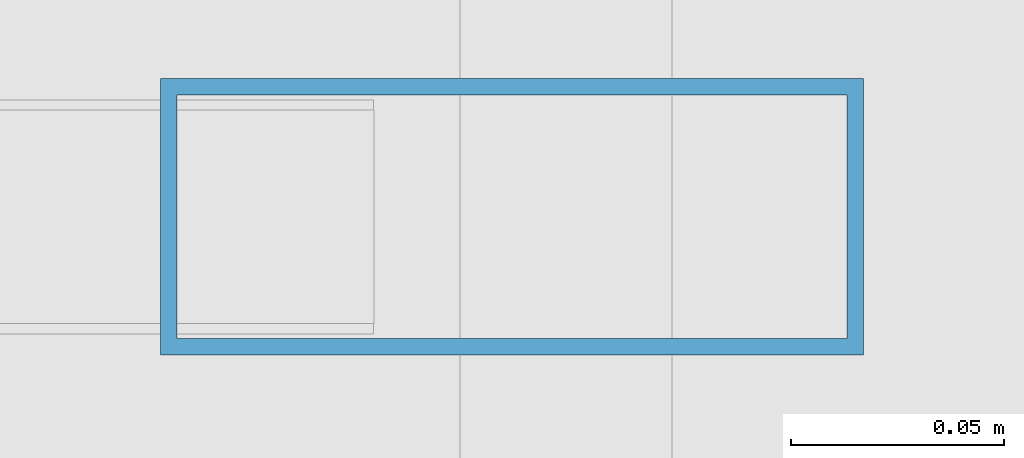
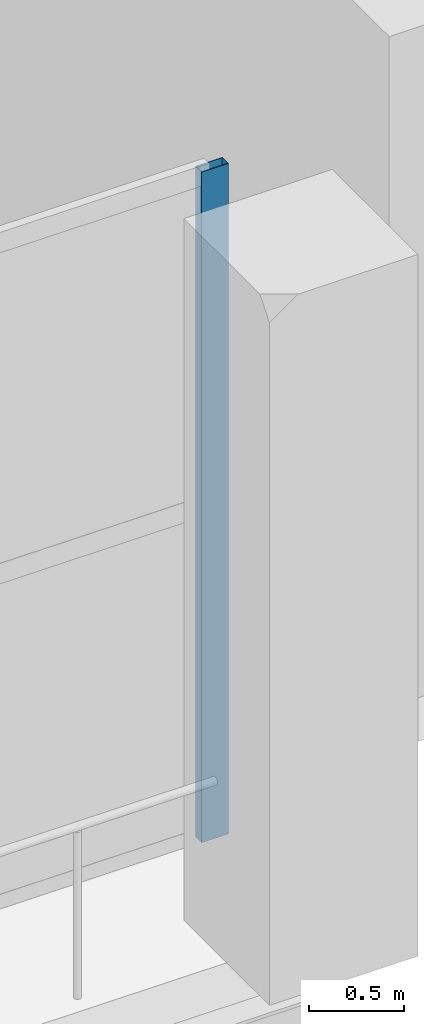
# One storey, part 15 of 26: 1 member, 1 element without a shape of its own.
"""IFC4 building model written with IfcOpenShell, lengths in metres."""

from ifc_helpers import new_model, si_unit, direction, frame, origin, origin_2d, place, context, subcontext, project, spatial, hollow_rectangle, extrude, material, layer, layer_set, material_profile, profile_set, type_object, element, aggregate, save


model = new_model("IFC4")

# Units and contexts
model_context = context("Model", 3, precision=1e-05, world=origin(), true_north=direction((0.0, 1.0)))
body_context = subcontext(model_context, "Body", "Model", "MODEL_VIEW")
ifc_project = project(units=[si_unit("LENGTHUNIT", "METRE"), si_unit("AREAUNIT", "SQUARE_METRE"), si_unit("VOLUMEUNIT", "CUBIC_METRE"), si_unit("PLANEANGLEUNIT", "RADIAN"), si_unit("MASSUNIT", "GRAM", prefix="KILO")], contexts=[model_context])

# Site, building, storey
site_placement = place(None, origin())
site = spatial("IfcSite", under=ifc_project, at=site_placement, CompositionType="ELEMENT")
building_placement = place(site_placement, origin())
building = spatial("IfcBuilding", under=site, at=building_placement, Name="Mawjdan Bourse Tower", CompositionType="ELEMENT")
storey_placement = place(building_placement, frame((0.0, 0.0, 226.800048828125)))
storey = spatial("IfcBuildingStorey", under=building, at=storey_placement, Name="L55", CompositionType="ELEMENT", Elevation=226.800048828125)

# Curtain wall, member
ifc_material_1 = material(Name="Thermally Broken Aluminium and Solar Glass", Category="aluminium")
ifc_layer = layer(ifc_material_1, 0.219970703125)
ifc_layer_set = layer_set([ifc_layer], Name="Thermally Broken Aluminium and Solar Glass")
curtain_wall_type = type_object("IfcCurtainWallType", Name="CW-RFG", PredefinedType="USERDEFINED", material=ifc_layer_set)
curtain_wall_placement = place(storey_placement, origin())
curtain_wall = element("IfcCurtainWall", 1, at=curtain_wall_placement, inside=storey, type_object=curtain_wall_type, Name="L55 Refuge Band South Louvre Curtain Wall", ObjectType="REFUGE BAND LOUVRE SCREEN", PredefinedType="USERDEFINED")
ifc_material_2 = material(Name="Thermally Broken Anodised Aluminium", Category="aluminium")
ifc_material_profile = material_profile(ifc_material_2, hollow_rectangle(XDim=0.06494140625, YDim=0.1650390625, WallThickness=0.00390625, at=origin_2d()), Name="ALU-MUL-165X65")
ifc_profile_set = profile_set([ifc_material_profile], Name="Thermally Broken Anodised Aluminium")
member_type = type_object("IfcMemberType", Name="MUL-ALU-MUL-165X65", PredefinedType="MULLION", material=ifc_profile_set)
member_placement = place(storey_placement, frame((54.0673828125, 4.050048828125, 0.0), z_axis=(0.0, 0.0, 1.0), x_axis=(0.0, 1.0, 0.0)))
member = element("IfcMember", 2, at=member_placement, type_object=member_type, Name="CW-RFG-L55-RFG-S mullion 17", PredefinedType="MULLION", context=body_context, shape_type="SweptSolid", body=[
    extrude(hollow_rectangle(XDim=0.06494140625, YDim=0.1650390625, WallThickness=0.00390625, at=origin_2d()), origin(), (0.0, 0.0, 1.0), 4.300048828125),
])
aggregate(curtain_wall, [member])

save(model, "model.ifc")
